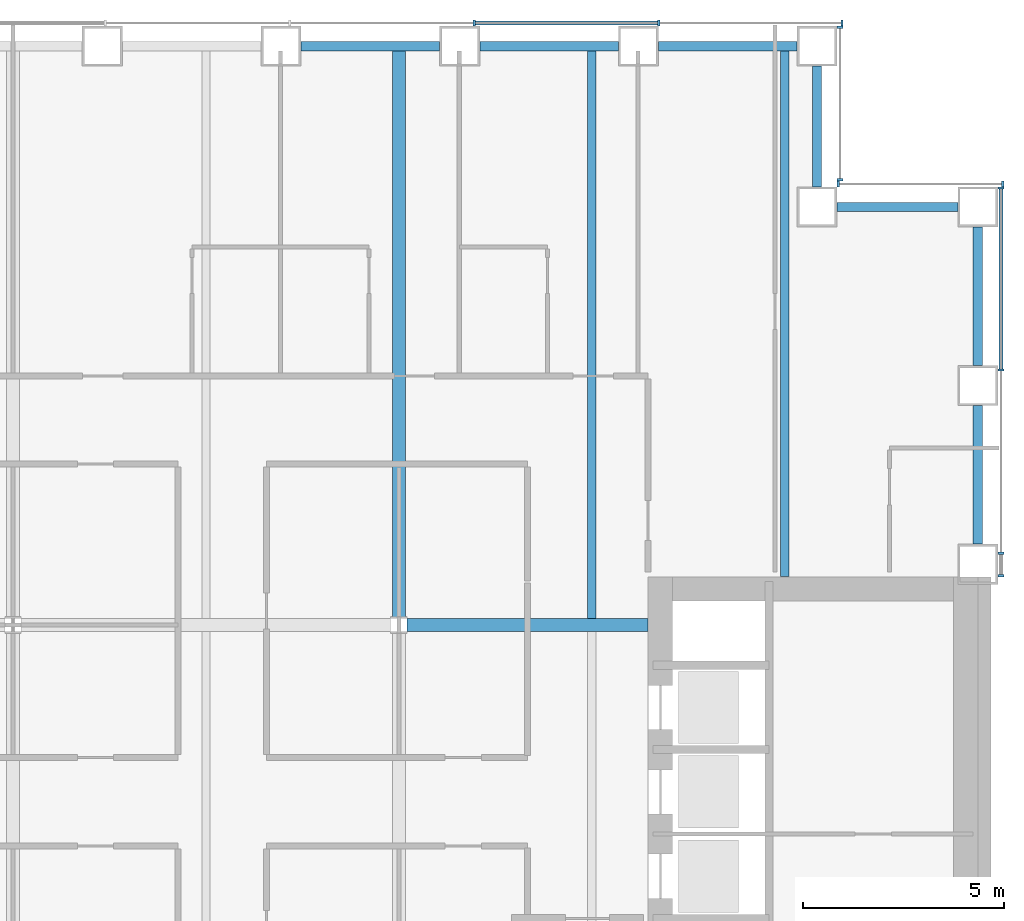
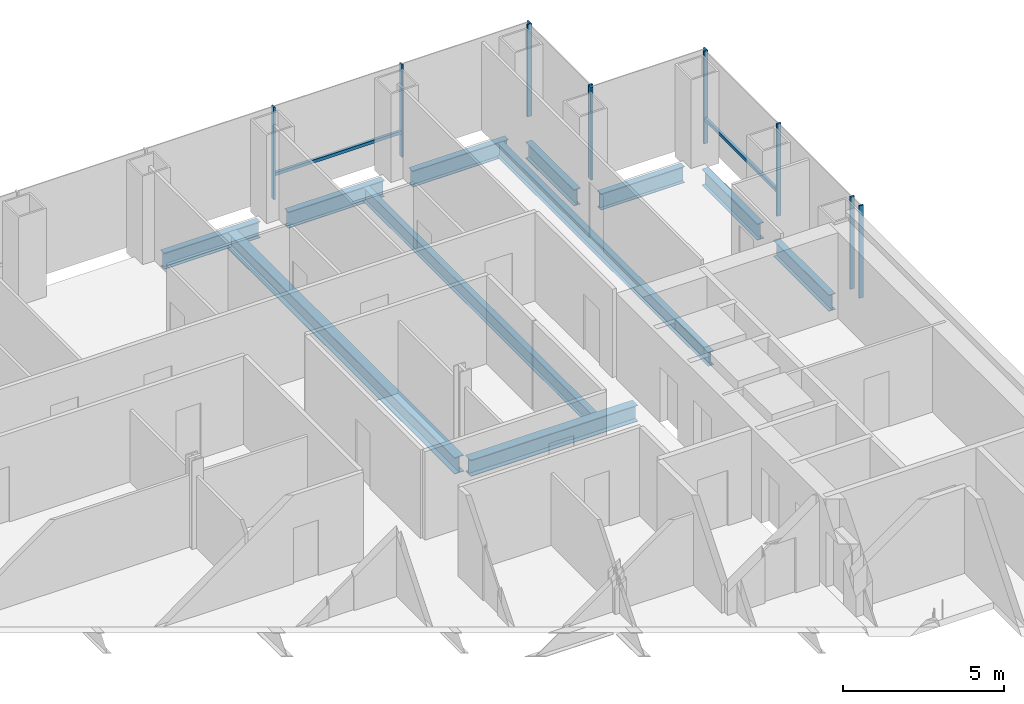
# One storey, part 10 of 23: 13 members, 11 beams, 4 elements without a shape of their own.
"""IFC4 building model written with IfcOpenShell, lengths in metres."""

from ifc_helpers import new_model, si_unit, direction, frame, origin, origin_2d, place, context, subcontext, project, spatial, rectangle, i_section, extrude, material, material_profile, profile_set, type_object, element, aggregate, save


model = new_model("IFC4")

# Units and contexts
model_context = context("Model", 3, precision=1e-05, world=origin(), true_north=direction((0.0, 1.0)))
body_context = subcontext(model_context, "Body", "Model", "MODEL_VIEW")
ifc_project = project(units=[si_unit("LENGTHUNIT", "METRE"), si_unit("AREAUNIT", "SQUARE_METRE"), si_unit("VOLUMEUNIT", "CUBIC_METRE"), si_unit("PLANEANGLEUNIT", "RADIAN"), si_unit("MASSUNIT", "GRAM", prefix="KILO")], contexts=[model_context])

# Site, building, storey
site_placement = place(None, origin())
site = spatial("IfcSite", under=ifc_project, at=site_placement, CompositionType="ELEMENT")
building_placement = place(site_placement, origin())
building = spatial("IfcBuilding", under=site, at=building_placement, Name="Cobrizo Arcos Hotel Tower", CompositionType="ELEMENT")
storey_placement = place(building_placement, frame((0.0, 0.0, 49.5)))
storey = spatial("IfcBuildingStorey", under=building, at=storey_placement, Name="L10", CompositionType="ELEMENT", Elevation=49.5)

# Curtain wall, members
ifc_material_1 = material(Name="Aluminium 6063-T6 anodised bronze", Category="aluminium")
curtain_wall_type = type_object("IfcCurtainWallType", Name="CW-A guest facade", PredefinedType="NOTDEFINED", material=ifc_material_1)
curtain_wall_1_placement = place(storey_placement, origin())
curtain_wall_1 = element("IfcCurtainWall", 1, at=curtain_wall_1_placement, inside=storey, type_object=curtain_wall_type, Name="CW-A L10 E face", PredefinedType="NOTDEFINED")
ifc_material_profile_1 = material_profile(ifc_material_1, rectangle(XDim=0.14990234375, YDim=0.06005859375, at=origin_2d()), Name="CW-A mullion 150x60")
ifc_profile_set_1 = profile_set([ifc_material_profile_1], Name="Aluminium 6063-T6 anodised bronze")
member_type_1 = type_object("IfcMemberType", Name="CW-A mullion 150x60", PredefinedType="MULLION", material=ifc_profile_set_1)
member_1_placement = place(storey_placement, frame((24.574951171875, 10.830078125, 0.0), z_axis=(0.0, 0.0, 1.0), x_axis=(1.0, 0.0, 0.0)))
member_1 = element("IfcMember", 2, at=member_1_placement, type_object=member_type_1, Name="CW-A mullion 1", PredefinedType="MULLION", context=body_context, shape_type="SweptSolid", body=[
    extrude(rectangle(XDim=0.14990234375, YDim=0.06005859375, at=origin_2d()), origin(), (0.0, 0.0, 1.0), 3.5),
])
member_2_placement = place(storey_placement, frame((24.574951171875, 11.388916015625, 0.0), z_axis=(0.0, 0.0, 1.0), x_axis=(1.0, 0.0, 0.0)))
member_2 = element("IfcMember", 3, at=member_2_placement, type_object=member_type_1, Name="CW-A mullion 2", PredefinedType="MULLION", context=body_context, shape_type="SweptSolid", body=[
    extrude(rectangle(XDim=0.14990234375, YDim=0.06005859375, at=origin_2d()), origin(), (0.0, 0.0, 1.0), 3.5),
])
member_3_placement = place(storey_placement, frame((24.574951171875, 15.9443359375, 0.0), z_axis=(0.0, 0.0, 1.0), x_axis=(1.0, 0.0, 0.0)))
member_3 = element("IfcMember", 4, at=member_3_placement, type_object=member_type_1, Name="CW-A mullion 3", PredefinedType="MULLION", context=body_context, shape_type="SweptSolid", body=[
    extrude(rectangle(XDim=0.14990234375, YDim=0.06005859375, at=origin_2d()), origin(), (0.0, 0.0, 1.0), 3.5),
])
member_4_placement = place(storey_placement, frame((24.574951171875, 20.469970703125, 0.0), z_axis=(0.0, 0.0, 1.0), x_axis=(1.0, 0.0, 0.0)))
member_4 = element("IfcMember", 5, at=member_4_placement, type_object=member_type_1, Name="CW-A mullion 4", PredefinedType="MULLION", context=body_context, shape_type="SweptSolid", body=[
    extrude(rectangle(XDim=0.14990234375, YDim=0.06005859375, at=origin_2d()), origin(), (0.0, 0.0, 1.0), 3.5),
])

curtain_wall_2_placement = place(storey_placement, origin())
curtain_wall_2 = element("IfcCurtainWall", 6, at=curtain_wall_2_placement, inside=storey, type_object=curtain_wall_type, Name="CW-A L10 N face", PredefinedType="NOTDEFINED")
member_5_placement = place(storey_placement, frame((24.6201171875, 20.574951171875, 0.0), z_axis=(0.0, 0.0, 1.0), x_axis=(0.0, 1.0, 0.0)))
member_5 = element("IfcMember", 7, at=member_5_placement, type_object=member_type_1, Name="CW-A mullion 1", PredefinedType="MULLION", context=body_context, shape_type="SweptSolid", body=[
    extrude(rectangle(XDim=0.14990234375, YDim=0.06005859375, at=origin_2d()), origin(), (0.0, 0.0, 1.0), 3.5),
])
member_6_placement = place(storey_placement, frame((20.530029296875, 20.574951171875, 0.0), z_axis=(0.0, 0.0, 1.0), x_axis=(0.0, 1.0, 0.0)))
member_6 = element("IfcMember", 8, at=member_6_placement, type_object=member_type_1, Name="CW-A mullion 2", PredefinedType="MULLION", context=body_context, shape_type="SweptSolid", body=[
    extrude(rectangle(XDim=0.14990234375, YDim=0.06005859375, at=origin_2d()), origin(), (0.0, 0.0, 1.0), 3.5),
])
aggregate(curtain_wall_2, [member_5, member_6])

curtain_wall_3_placement = place(storey_placement, origin())
curtain_wall_3 = element("IfcCurtainWall", 9, at=curtain_wall_3_placement, inside=storey, type_object=curtain_wall_type, Name="CW-A L10 E face", PredefinedType="NOTDEFINED")
member_7_placement = place(storey_placement, frame((20.574951171875, 20.679931640625, 0.0), z_axis=(0.0, 0.0, 1.0), x_axis=(1.0, 0.0, 0.0)))
member_7 = element("IfcMember", 10, at=member_7_placement, type_object=member_type_1, Name="CW-A mullion 1", PredefinedType="MULLION", context=body_context, shape_type="SweptSolid", body=[
    extrude(rectangle(XDim=0.14990234375, YDim=0.06005859375, at=origin_2d()), origin(), (0.0, 0.0, 1.0), 3.5),
])
member_8_placement = place(storey_placement, frame((20.574951171875, 24.469970703125, 0.0), z_axis=(0.0, 0.0, 1.0), x_axis=(1.0, 0.0, 0.0)))
member_8 = element("IfcMember", 11, at=member_8_placement, type_object=member_type_1, Name="CW-A mullion 2", PredefinedType="MULLION", context=body_context, shape_type="SweptSolid", body=[
    extrude(rectangle(XDim=0.14990234375, YDim=0.06005859375, at=origin_2d()), origin(), (0.0, 0.0, 1.0), 3.5),
])
aggregate(curtain_wall_3, [member_7, member_8])

curtain_wall_4_placement = place(storey_placement, origin())
curtain_wall_4 = element("IfcCurtainWall", 12, at=curtain_wall_4_placement, inside=storey, type_object=curtain_wall_type, Name="CW-A L10 N face", PredefinedType="NOTDEFINED")
member_9_placement = place(storey_placement, frame((20.6201171875, 24.574951171875, 0.0), z_axis=(0.0, 0.0, 1.0), x_axis=(0.0, 1.0, 0.0)))
member_9 = element("IfcMember", 13, at=member_9_placement, type_object=member_type_1, Name="CW-A mullion 1", PredefinedType="MULLION", context=body_context, shape_type="SweptSolid", body=[
    extrude(rectangle(XDim=0.14990234375, YDim=0.06005859375, at=origin_2d()), origin(), (0.0, 0.0, 1.0), 3.5),
])
member_10_placement = place(storey_placement, frame((16.06103515625, 24.574951171875, 0.0), z_axis=(0.0, 0.0, 1.0), x_axis=(0.0, 1.0, 0.0)))
member_10 = element("IfcMember", 14, at=member_10_placement, type_object=member_type_1, Name="CW-A mullion 2", PredefinedType="MULLION", context=body_context, shape_type="SweptSolid", body=[
    extrude(rectangle(XDim=0.14990234375, YDim=0.06005859375, at=origin_2d()), origin(), (0.0, 0.0, 1.0), 3.5),
])
member_11_placement = place(storey_placement, frame((11.47216796875, 24.574951171875, 0.0), z_axis=(0.0, 0.0, 1.0), x_axis=(0.0, 1.0, 0.0)))
member_11 = element("IfcMember", 15, at=member_11_placement, type_object=member_type_1, Name="CW-A mullion 3", PredefinedType="MULLION", context=body_context, shape_type="SweptSolid", body=[
    extrude(rectangle(XDim=0.14990234375, YDim=0.06005859375, at=origin_2d()), origin(), (0.0, 0.0, 1.0), 3.5),
])

# Member
ifc_material_profile_2 = material_profile(ifc_material_1, rectangle(XDim=0.10009765625, YDim=0.1201171875, at=origin_2d()), Name="CW-A transom 120x100")
ifc_profile_set_2 = profile_set([ifc_material_profile_2], Name="Aluminium 6063-T6 anodised bronze")
member_type_2 = type_object("IfcMemberType", Name="CW-A transom 120x100", PredefinedType="USERDEFINED", material=ifc_profile_set_2)
member_12_placement = place(storey_placement, frame((24.574951171875, 15.974365234375, 0.929931640625), z_axis=(0.0, 1.0, 0.0), x_axis=(-1.0, 0.0, 0.0)))
member_12 = element("IfcMember", 16, at=member_12_placement, type_object=member_type_2, Name="CW-A transom 491", ObjectType="TRANSOM", PredefinedType="USERDEFINED", context=body_context, shape_type="SweptSolid", body=[
    extrude(rectangle(XDim=0.10009765625, YDim=0.1201171875, at=origin_2d()), origin(), (0.0, 0.0, 1.0), 4.465576171875),
])

aggregate(curtain_wall_1, [member_1, member_2, member_3, member_4, member_12])

member_13_placement = place(storey_placement, frame((16.031005859375, 24.574951171875, 0.929931640625), z_axis=(-1.0, 0.0, 0.0), x_axis=(0.0, -1.0, 0.0)))
member_13 = element("IfcMember", 17, at=member_13_placement, type_object=member_type_2, Name="CW-A transom 495", ObjectType="TRANSOM", PredefinedType="USERDEFINED", context=body_context, shape_type="SweptSolid", body=[
    extrude(rectangle(XDim=0.10009765625, YDim=0.1201171875, at=origin_2d()), origin(), (0.0, 0.0, 1.0), 4.52880859375),
])

aggregate(curtain_wall_4, [member_9, member_10, member_11, member_13])

# Beams
ifc_material_2 = material(Name="Steel ASTM A992 Grade 50", Category="steel")
ifc_material_profile_3 = material_profile(ifc_material_2, i_section(OverallWidth=0.209228515625, OverallDepth=0.533447265625, WebThickness=0.01025390625, FlangeThickness=0.015625, at=origin_2d()), Name="W21X62")
ifc_profile_set_3 = profile_set([ifc_material_profile_3], Name="Steel ASTM A992 Grade 50")
beam_type_1 = type_object("IfcBeamType", Name="W21X62 joist", PredefinedType="JOIST", material=ifc_profile_set_3)
beam_1_placement = place(storey_placement, frame((14.39990234375, 9.763916015625, -0.416748046875), z_axis=(0.0, 1.0, 0.0), x_axis=(-1.0, 0.0, 0.0)))
element("IfcBeam", 18, at=beam_1_placement, inside=storey, type_object=beam_type_1, Name="Floor joist J1, L10, no. 018", PredefinedType="JOIST", context=body_context, shape_type="SweptSolid", body=[
    extrude(i_section(OverallWidth=0.209228515625, OverallDepth=0.533447265625, WebThickness=0.01025390625, FlangeThickness=0.015625, at=origin_2d()), origin(), (0.0, 0.0, 1.0), 14.14599609375),
])
beam_2_placement = place(storey_placement, frame((19.199951171875, 10.81005859375, -0.416748046875), z_axis=(0.0, 1.0, 0.0), x_axis=(-1.0, 0.0, 0.0)))
element("IfcBeam", 19, at=beam_2_placement, inside=storey, type_object=beam_type_1, Name="Floor joist J1, L10, no. 020", PredefinedType="JOIST", context=body_context, shape_type="SweptSolid", body=[
    extrude(i_section(OverallWidth=0.209228515625, OverallDepth=0.533447265625, WebThickness=0.01025390625, FlangeThickness=0.015625, at=origin_2d()), origin(), (0.0, 0.0, 1.0), 13.099853515625),
])
ifc_material_profile_4 = material_profile(ifc_material_2, i_section(OverallWidth=0.32763671875, OverallDepth=0.622314453125, WebThickness=0.015380859375, FlangeThickness=0.0244140625, at=origin_2d()), Name="W24X131")
ifc_profile_set_4 = profile_set([ifc_material_profile_4], Name="Steel ASTM A992 Grade 50")
beam_type_2 = type_object("IfcBeamType", Name="W24X131 girder", PredefinedType="BEAM", material=ifc_profile_set_4)
beam_3_placement = place(storey_placement, frame((9.804443359375, 9.60009765625, -0.461181640625), z_axis=(1.0, 0.0, 0.0), x_axis=(0.0, 1.0, 0.0)))
element("IfcBeam", 20, at=beam_3_placement, inside=storey, type_object=beam_type_2, Name="Floor girder G1, L10, no. 012", PredefinedType="BEAM", context=body_context, shape_type="SweptSolid", body=[
    extrude(i_section(OverallWidth=0.32763671875, OverallDepth=0.622314453125, WebThickness=0.015380859375, FlangeThickness=0.0244140625, at=origin_2d()), origin(), (0.0, 0.0, 1.0), 5.985595703125),
])
beam_4_placement = place(storey_placement, frame((9.60009765625, 9.804443359375, -0.461181640625), z_axis=(0.0, 1.0, 0.0), x_axis=(-1.0, 0.0, 0.0)))
element("IfcBeam", 21, at=beam_4_placement, inside=storey, type_object=beam_type_2, Name="Floor girder G1, L10, no. 024", PredefinedType="BEAM", context=body_context, shape_type="SweptSolid", body=[
    extrude(i_section(OverallWidth=0.32763671875, OverallDepth=0.622314453125, WebThickness=0.015380859375, FlangeThickness=0.0244140625, at=origin_2d()), origin(), (0.0, 0.0, 1.0), 14.10546875),
])
ifc_material_profile_5 = material_profile(ifc_material_2, i_section(OverallWidth=0.23046875, OverallDepth=0.6171875, WebThickness=0.01318359375, FlangeThickness=0.022216796875, at=origin_2d()), Name="W24X94")
ifc_profile_set_5 = profile_set([ifc_material_profile_5], Name="Steel ASTM A992 Grade 50")
beam_type_3 = type_object("IfcBeamType", Name="W24X94 spandrel", PredefinedType="SPANDREL", material=ifc_profile_set_5)
beam_5_placement = place(storey_placement, frame((24.0, 11.611083984375, -0.45849609375), z_axis=(0.0, 1.0, 0.0), x_axis=(-1.0, 0.0, 0.0)))
element("IfcBeam", 22, at=beam_5_placement, inside=storey, type_object=beam_type_3, Name="Spandrel beam W24X94, L10, no. 014", PredefinedType="SPANDREL", context=body_context, shape_type="SweptSolid", body=[
    extrude(i_section(OverallWidth=0.23046875, OverallDepth=0.6171875, WebThickness=0.01318359375, FlangeThickness=0.022216796875, at=origin_2d()), origin(), (0.0, 0.0, 1.0), 3.44482421875),
])
beam_6_placement = place(storey_placement, frame((24.0, 16.055908203125, -0.45849609375), z_axis=(0.0, 1.0, 0.0), x_axis=(-1.0, 0.0, 0.0)))
element("IfcBeam", 23, at=beam_6_placement, inside=storey, type_object=beam_type_3, Name="Spandrel beam W24X94, L10, no. 015", PredefinedType="SPANDREL", context=body_context, shape_type="SweptSolid", body=[
    extrude(i_section(OverallWidth=0.23046875, OverallDepth=0.6171875, WebThickness=0.01318359375, FlangeThickness=0.022216796875, at=origin_2d()), origin(), (0.0, 0.0, 1.0), 3.444091796875),
])
for number, where, z_axis, x_axis, name in (
    (24, (23.5, 20.0, -0.45849609375), (-1.0, 0.0, 0.0), (0.0, -1.0, 0.0), "Spandrel beam W24X94, L10, no. 016"),
    (25, (20.0, 20.5, -0.45849609375), (0.0, 1.0, 0.0), (-1.0, 0.0, 0.0), "Spandrel beam W24X94, L10, no. 017"),
):
    element("IfcBeam", number, at=place(storey_placement, frame(where, z_axis=z_axis, x_axis=x_axis)), inside=storey, type_object=beam_type_3, Name=name, PredefinedType="SPANDREL", context=body_context, shape_type="SweptSolid", body=[
        extrude(i_section(OverallWidth=0.23046875, OverallDepth=0.6171875, WebThickness=0.01318359375, FlangeThickness=0.022216796875, at=origin_2d()), origin(), (0.0, 0.0, 1.0), 3.0),
    ])
beam_7_placement = place(storey_placement, frame((19.5, 24.0, -0.45849609375), z_axis=(-1.0, 0.0, 0.0), x_axis=(0.0, -1.0, 0.0)))
element("IfcBeam", 26, at=beam_7_placement, inside=storey, type_object=beam_type_3, Name="Spandrel beam W24X94, L10, no. 018", PredefinedType="SPANDREL", context=body_context, shape_type="SweptSolid", body=[
    extrude(i_section(OverallWidth=0.23046875, OverallDepth=0.6171875, WebThickness=0.01318359375, FlangeThickness=0.022216796875, at=origin_2d()), origin(), (0.0, 0.0, 1.0), 3.444091796875),
])
beam_8_placement = place(storey_placement, frame((15.055908203125, 24.0, -0.45849609375), z_axis=(-1.0, 0.0, 0.0), x_axis=(0.0, -1.0, 0.0)))
element("IfcBeam", 27, at=beam_8_placement, inside=storey, type_object=beam_type_3, Name="Spandrel beam W24X94, L10, no. 019", PredefinedType="SPANDREL", context=body_context, shape_type="SweptSolid", body=[
    extrude(i_section(OverallWidth=0.23046875, OverallDepth=0.6171875, WebThickness=0.01318359375, FlangeThickness=0.022216796875, at=origin_2d()), origin(), (0.0, 0.0, 1.0), 3.44482421875),
])
beam_9_placement = place(storey_placement, frame((10.611083984375, 24.0, -0.45849609375), z_axis=(-1.0, 0.0, 0.0), x_axis=(0.0, -1.0, 0.0)))
element("IfcBeam", 28, at=beam_9_placement, inside=storey, type_object=beam_type_3, Name="Spandrel beam W24X94, L10, no. 020", PredefinedType="SPANDREL", context=body_context, shape_type="SweptSolid", body=[
    extrude(i_section(OverallWidth=0.23046875, OverallDepth=0.6171875, WebThickness=0.01318359375, FlangeThickness=0.022216796875, at=origin_2d()), origin(), (0.0, 0.0, 1.0), 3.444091796875),
])

save(model, "model.ifc")
